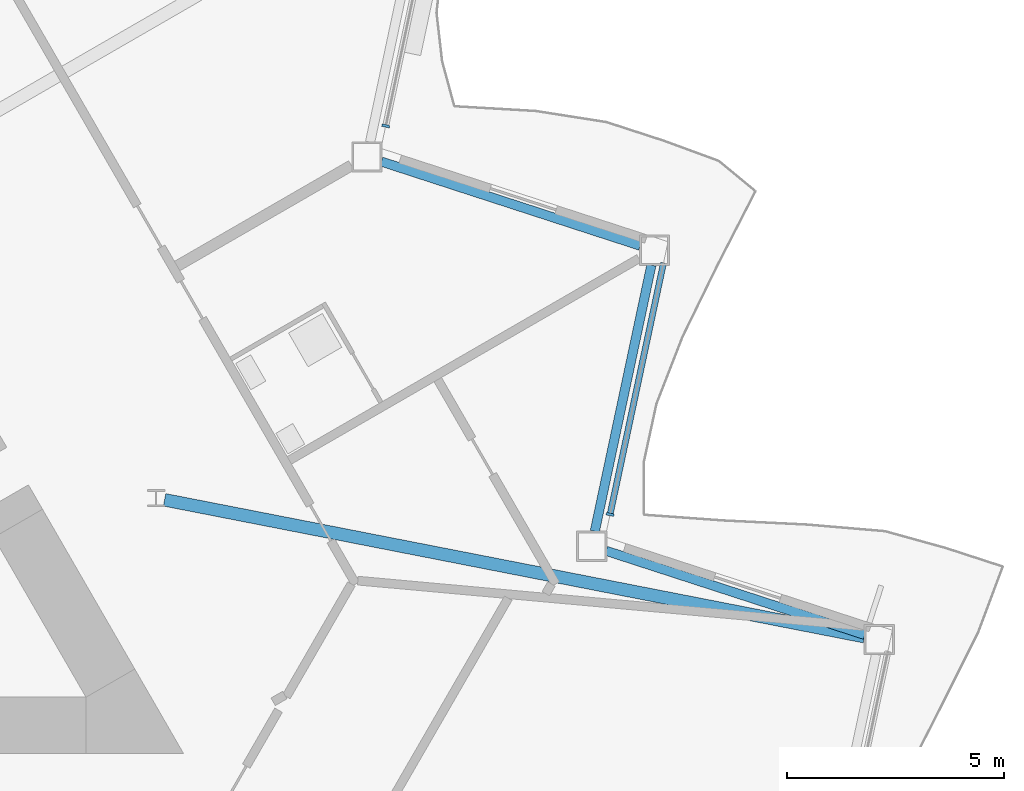
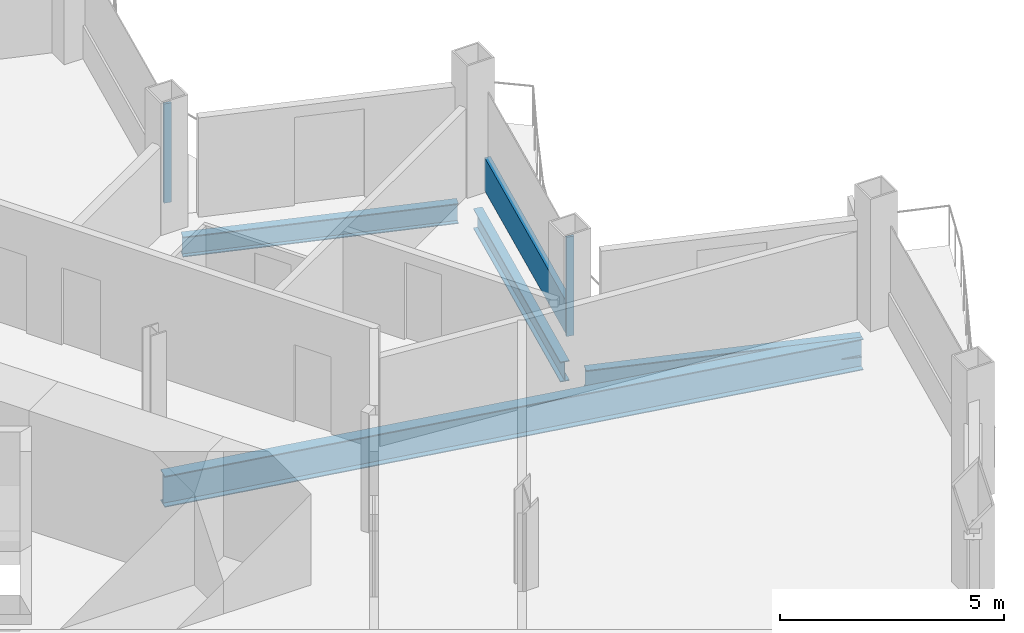
# One storey, part 7 of 23: 4 beams, 3 members, 2 elements without a shape of their own.
"""IFC4 building model written with IfcOpenShell, lengths in metres."""

from ifc_helpers import new_model, si_unit, direction, frame, origin, origin_2d, place, context, subcontext, project, spatial, rectangle, i_section, extrude, material, layer, layer_set, material_profile, profile_set, type_object, element, aggregate, save


model = new_model("IFC4")

# Units and contexts
model_context = context("Model", 3, precision=1e-05, world=origin(), true_north=direction((0.0, 1.0)))
body_context = subcontext(model_context, "Body", "Model", "MODEL_VIEW")
ifc_project = project(units=[si_unit("LENGTHUNIT", "METRE"), si_unit("AREAUNIT", "SQUARE_METRE"), si_unit("VOLUMEUNIT", "CUBIC_METRE"), si_unit("PLANEANGLEUNIT", "RADIAN"), si_unit("MASSUNIT", "GRAM", prefix="KILO")], contexts=[model_context])

# Site, building, storey
site_placement = place(None, origin())
site = spatial("IfcSite", under=ifc_project, at=site_placement, CompositionType="ELEMENT")
building_placement = place(site_placement, origin())
building = spatial("IfcBuilding", under=site, at=building_placement, Name="Cormorant Prow Tower", CompositionType="ELEMENT")
storey_placement = place(building_placement, frame((0.0, 0.0, 256.199951171875)))
storey = spatial("IfcBuildingStorey", under=building, at=storey_placement, Name="L57", CompositionType="ELEMENT", Elevation=256.199951171875)

# Curtain wall, member
ifc_material_1 = material(Name="Aluminium 6063-T6", Category="aluminium")
ifc_layer = layer(ifc_material_1, 0.179931640625)
ifc_layer_set = layer_set([ifc_layer], Name="Aluminium 6063-T6")
curtain_wall_type = type_object("IfcCurtainWallType", Name="Hotel unitised curtain wall 180", PredefinedType="NOTDEFINED", material=ifc_layer_set)
curtain_wall_1_placement = place(storey_placement, origin())
curtain_wall_1 = element("IfcCurtainWall", 1, at=curtain_wall_1_placement, inside=storey, type_object=curtain_wall_type, Name="Hotel curtain wall ENE02", PredefinedType="NOTDEFINED")
ifc_material_2 = material(Name="Aluminium 6063-T6", Category="aluminium")
ifc_material_profile_1 = material_profile(ifc_material_2, rectangle(XDim=0.179931640625, YDim=0.06005859375, at=origin_2d()), Name="Hotel mullion 60x180")
ifc_profile_set_1 = profile_set([ifc_material_profile_1], Name="Aluminium 6063-T6")
member_type_1 = type_object("IfcMemberType", Name="Hotel mullion 60x180", PredefinedType="MULLION", material=ifc_profile_set_1)
member_1_placement = place(storey_placement, frame((24.84814453125, -3.140625, 0.0), z_axis=(0.0, 0.0, 1.0), x_axis=(-0.978147601216, 0.207911688547, 0.0)))
member_1 = element("IfcMember", 2, at=member_1_placement, type_object=member_type_1, Name="Hotel mullion ENE02", PredefinedType="MULLION", context=body_context, shape_type="SweptSolid", body=[
    extrude(rectangle(XDim=0.179931640625, YDim=0.06005859375, at=origin_2d()), origin(), (0.0, 0.0, 1.0), 2.700927734375),
])

curtain_wall_2_placement = place(storey_placement, origin())
curtain_wall_2 = element("IfcCurtainWall", 3, at=curtain_wall_2_placement, inside=storey, type_object=curtain_wall_type, Name="Hotel curtain wall ENE04", PredefinedType="NOTDEFINED")
member_2_placement = place(storey_placement, frame((19.668701171875, 5.83056640625, 0.0), z_axis=(0.0, 0.0, 1.0), x_axis=(-0.978147572038, 0.207911825822, 0.0)))
member_2 = element("IfcMember", 4, at=member_2_placement, type_object=member_type_1, Name="Hotel mullion ENE04", PredefinedType="MULLION", context=body_context, shape_type="SweptSolid", body=[
    extrude(rectangle(XDim=0.179931640625, YDim=0.06005859375, at=origin_2d()), origin(), (0.0, 0.0, 1.0), 2.700927734375),
])
aggregate(curtain_wall_2, [member_2])

# Member
ifc_material_3 = material(Name="Terracotta", Category="masonry")
ifc_material_profile_2 = material_profile(ifc_material_3, rectangle(XDim=0.139892578125, YDim=0.89990234375, at=origin_2d()), Name="Hotel terracotta spandrel rail 140x900")
ifc_profile_set_2 = profile_set([ifc_material_profile_2], Name="Terracotta")
member_type_2 = type_object("IfcMemberType", Name="Hotel terracotta spandrel rail 140x900", PredefinedType="USERDEFINED", material=ifc_profile_set_2)
member_3_placement = place(storey_placement, frame((24.8544921875, -3.111328125, 0.449951171875), z_axis=(0.207903236983, 0.978149397614, 0.0), x_axis=(-0.978149397614, 0.207903236983, 0.0)))
member_3 = element("IfcMember", 5, at=member_3_placement, type_object=member_type_2, Name="Hotel spandrel rail ENE02", ObjectType="TRANSOM", PredefinedType="USERDEFINED", context=body_context, shape_type="SweptSolid", body=[
    extrude(rectangle(XDim=0.139892578125, YDim=0.89990234375, at=origin_2d()), origin(), (0.0, 0.0, 1.0), 5.907958984375),
])

aggregate(curtain_wall_1, [member_1, member_3])

# Beams
ifc_material_4 = material(Name="Structural steel ASTM A992 Gr 50", Category="steel")
ifc_material_profile_3 = material_profile(ifc_material_4, i_section(OverallWidth=0.29296875, OverallDepth=0.845703125, WebThickness=0.015380859375, FlangeThickness=0.0244140625, at=origin_2d()), Name="W33x141")
ifc_profile_set_3 = profile_set([ifc_material_profile_3], Name="Structural steel ASTM A992 Gr 50")
beam_type_1 = type_object("IfcBeamType", Name="Radial floor beam W33x141", PredefinedType="BEAM", material=ifc_profile_set_3)
beam_placement = place(storey_placement, frame((14.5634765625, -2.80322265625, -0.77294921875), z_axis=(0.981419133752, -0.191876220269, 0.0), x_axis=(0.191876220269, 0.981419133752, 0.0)))
element("IfcBeam", 6, at=beam_placement, inside=storey, type_object=beam_type_1, Name="Radial floor beam FB2 10 L57", PredefinedType="BEAM", context=body_context, shape_type="SweptSolid", body=[
    extrude(i_section(OverallWidth=0.29296875, OverallDepth=0.845703125, WebThickness=0.015380859375, FlangeThickness=0.0244140625, at=origin_2d()), origin(), (0.0, 0.0, 1.0), 16.462158203125),
])
ifc_material_5 = material(Name="Structural steel ASTM A992 Gr 50", Category="steel")
ifc_material_profile_4 = material_profile(ifc_material_5, i_section(OverallWidth=0.2138671875, OverallDepth=0.549072265625, WebThickness=0.0146484375, FlangeThickness=0.023681640625, at=origin_2d()), Name="W21x93")
ifc_profile_set_4 = profile_set([ifc_material_profile_4], Name="Structural steel ASTM A992 Gr 50")
beam_type_2 = type_object("IfcBeamType", Name="Spandrel beam W21x93", PredefinedType="SPANDREL", material=ifc_profile_set_4)
for number, where, z_axis, x_axis, name in (
    (7, (30.730224609375, -5.9208984375, -0.62451171875), (-0.951061771288, 0.309000820701, 0.0), (-0.309000820701, -0.951061771288, 0.0), "Spandrel beam SB2 ENE01-ENE02 L57"),
    (8, (24.49609375, -3.529296875, -0.62451171875), (0.207941499013, 0.978141264331, 0.0), (-0.978141264331, 0.207941499013, 0.0), "Spandrel beam SB2 ENE02-ENE03 L57"),
    (9, (25.5419921875, 3.0654296875, -0.62451171875), (-0.951061771288, 0.309000820701, 0.0), (-0.309000820701, -0.951061771288, 0.0), "Spandrel beam SB2 ENE03-ENE04 L57"),
):
    element("IfcBeam", number, at=place(storey_placement, frame(where, z_axis=z_axis, x_axis=x_axis)), inside=storey, type_object=beam_type_2, Name=name, PredefinedType="SPANDREL", context=body_context, shape_type="SweptSolid", body=[
        extrude(i_section(OverallWidth=0.2138671875, OverallDepth=0.549072265625, WebThickness=0.0146484375, FlangeThickness=0.023681640625, at=origin_2d()), origin(), (0.0, 0.0, 1.0), 6.28125),
    ])

save(model, "model.ifc")
